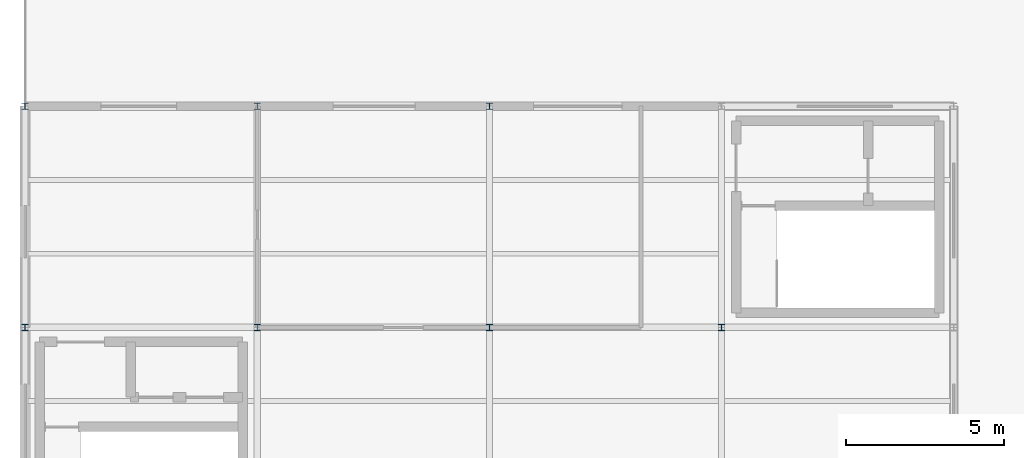
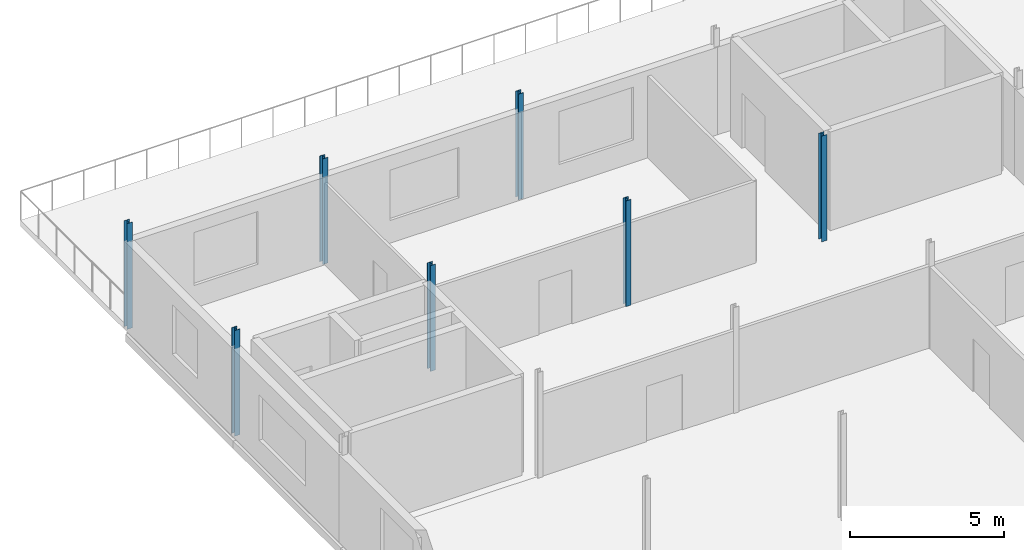
# One storey, part 5 of 10: 7 columns.
"""IFC4 building model written with IfcOpenShell, lengths in metres."""

from ifc_helpers import new_model, si_unit, direction, frame, origin, origin_2d, place, context, subcontext, project, spatial, i_section, extrude, material, material_profile, profile_set, type_object, element, save


model = new_model("IFC4")

# Units and contexts
model_context = context("Model", 3, precision=1e-05, world=origin(), true_north=direction((0.0, 1.0)))
body_context = subcontext(model_context, "Body", "Model", "MODEL_VIEW")
ifc_project = project(units=[si_unit("LENGTHUNIT", "METRE"), si_unit("AREAUNIT", "SQUARE_METRE"), si_unit("VOLUMEUNIT", "CUBIC_METRE"), si_unit("PLANEANGLEUNIT", "RADIAN"), si_unit("MASSUNIT", "GRAM", prefix="KILO")], contexts=[model_context])

# Site, building, storey
site_placement = place(None, origin())
site = spatial("IfcSite", under=ifc_project, at=site_placement, CompositionType="ELEMENT")
building_placement = place(site_placement, origin())
building = spatial("IfcBuilding", under=site, at=building_placement, Name="Kazenagashi Tramway Depot", CompositionType="ELEMENT")
storey_placement = place(building_placement, frame((0.0, 0.0, 19.5)))
storey = spatial("IfcBuildingStorey", under=building, at=storey_placement, Name="L05", CompositionType="ELEMENT", Elevation=19.5)

# Columns
ifc_material = material(Name="Steel SN400B", Category="steel")
ifc_material_profile = material_profile(ifc_material, i_section(OverallWidth=0.2, OverallDepth=0.2, WebThickness=0.008, FlangeThickness=0.012, at=origin_2d()), Name="H-200x200x8x12")
ifc_profile_set = profile_set([ifc_material_profile], Name="Steel SN400B")
column_type = type_object("IfcColumnType", Name="C-07", PredefinedType="COLUMN", material=ifc_profile_set)
for number, where, z_axis, x_axis, name in (
    (1, (0.0, 35.0, 0.0), (0.0, 0.0, 1.0), (1.0, 0.0, 0.0), "Column C-07 COL-0558"),
    (2, (0.0, 42.0, 0.0), (0.0, 0.0, 1.0), (1.0, 0.0, 0.0), "Column C-07 COL-0563"),
    (3, (7.35, 35.0, 0.0), (0.0, 0.0, 1.0), (1.0, 0.0, 0.0), "Column C-07 COL-0600"),
    (4, (7.35, 42.0, 0.0), (0.0, 0.0, 1.0), (1.0, 0.0, 0.0), "Column C-07 COL-0605"),
    (5, (14.7, 35.0, 0.0), (0.0, 0.0, 1.0), (1.0, 0.0, 0.0), "Column C-07 COL-0645"),
    (6, (14.7, 42.0, 0.0), (0.0, 0.0, 1.0), (1.0, 0.0, 0.0), "Column C-07 COL-0650"),
    (7, (22.05, 35.0, 0.0), (0.0, 0.0, 1.0), (1.0, 0.0, 0.0), "Column C-07 COL-0687"),
):
    element("IfcColumn", number, at=place(storey_placement, frame(where, z_axis=z_axis, x_axis=x_axis)), inside=storey, type_object=column_type, Name=name, PredefinedType="COLUMN", context=body_context, shape_type="SweptSolid", body=[
        extrude(i_section(OverallWidth=0.2, OverallDepth=0.2, WebThickness=0.008, FlangeThickness=0.012, at=origin_2d()), origin(), (0.0, 0.0, 1.0), 4.2),
    ])

save(model, "model.ifc")
